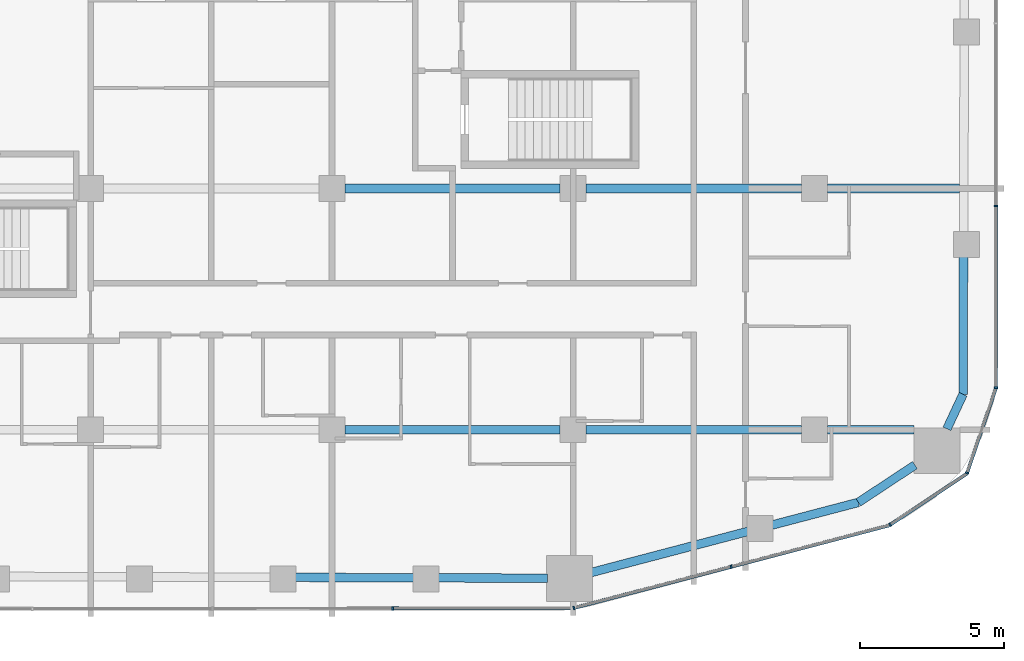
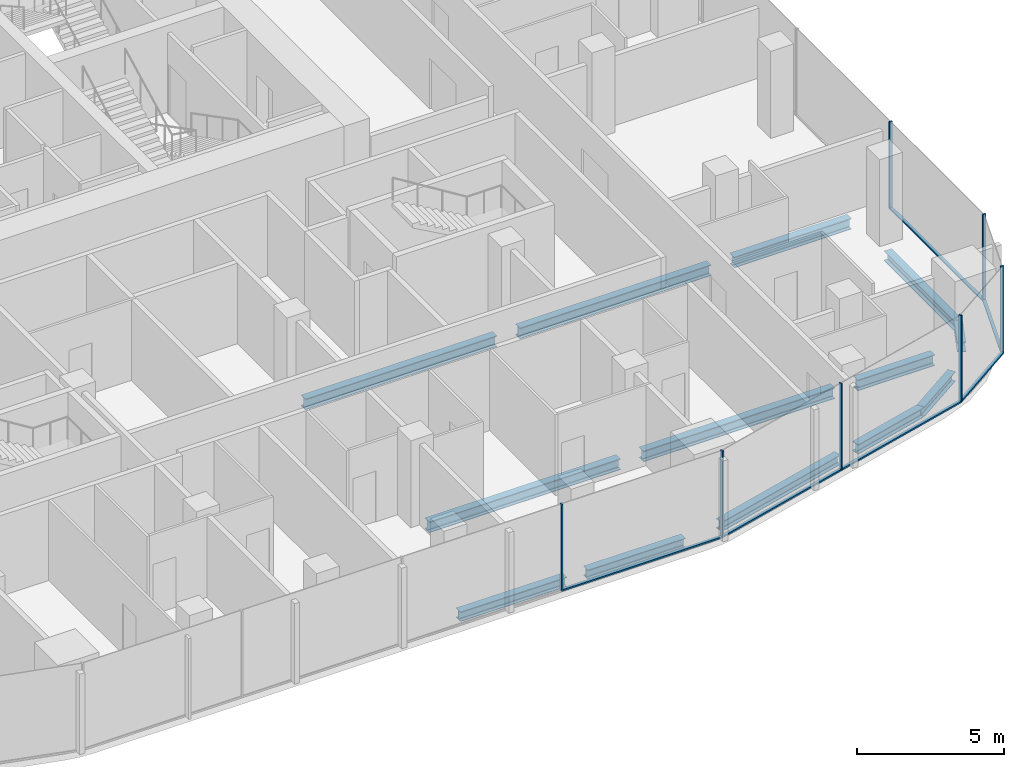
# One storey, part 6 of 23: 13 beams, 13 members, 5 elements without a shape of their own.
"""IFC4 building model written with IfcOpenShell, lengths in metres."""

from ifc_helpers import new_model, si_unit, direction, frame, origin, origin_2d, place, context, subcontext, project, spatial, rectangle, i_section, extrude, material, layer, layer_set, material_profile, profile_set, type_object, element, aggregate, save


model = new_model("IFC4")

# Units and contexts
model_context = context("Model", 3, precision=1e-05, world=origin(), true_north=direction((0.0, 1.0)))
body_context = subcontext(model_context, "Body", "Model", "MODEL_VIEW")
ifc_project = project(units=[si_unit("LENGTHUNIT", "METRE"), si_unit("AREAUNIT", "SQUARE_METRE"), si_unit("VOLUMEUNIT", "CUBIC_METRE"), si_unit("PLANEANGLEUNIT", "RADIAN"), si_unit("MASSUNIT", "GRAM", prefix="KILO")], contexts=[model_context])

# Site, building, storey
site_placement = place(None, origin())
site = spatial("IfcSite", under=ifc_project, at=site_placement, CompositionType="ELEMENT")
building_placement = place(site_placement, origin())
building = spatial("IfcBuilding", under=site, at=building_placement, Name="Marenta Gate Hotel Tower", CompositionType="ELEMENT")
storey_placement = place(building_placement, frame((0.0, 0.0, 162.5)))
storey = spatial("IfcBuildingStorey", under=building, at=storey_placement, Name="L38", CompositionType="ELEMENT", Elevation=162.5)

# Beams
ifc_material_1 = material(Name="Steel S355", Category="steel")
ifc_material_profile_1 = material_profile(ifc_material_1, i_section(OverallWidth=0.300048828125, OverallDepth=0.39990234375, WebThickness=0.013427734375, FlangeThickness=0.02392578125, FilletRadius=0.027099609375, at=origin_2d()), Name="HEB 400")
ifc_profile_set_1 = profile_set([ifc_material_profile_1], Name="Steel S355")
beam_type_1 = type_object("IfcBeamType", Name="Edge beam HEB 400", PredefinedType="SPANDREL", material=ifc_profile_set_1)
beam_1_placement = place(storey_placement, frame((26.191162109375, -10.761962890625, -0.4599609375), z_axis=(-0.003353298899, -0.999994377677, 0.0), x_axis=(0.999994377677, -0.003353298899, 0.0)))
element("IfcBeam", 1, at=beam_1_placement, inside=storey, type_object=beam_type_1, Name="L38-EB-27", PredefinedType="SPANDREL", context=body_context, shape_type="SweptSolid", body=[
    extrude(i_section(OverallWidth=0.300048828125, OverallDepth=0.39990234375, WebThickness=0.013427734375, FlangeThickness=0.02392578125, FilletRadius=0.027099609375, at=origin_2d()), origin(), (0.0, 0.0, 1.0), 4.80517578125),
])
beam_2_placement = place(storey_placement, frame((26.175048828125, -15.567138671875, -0.4599609375), z_axis=(-0.423207780269, -0.906032656541, 0.0), x_axis=(0.906032656541, -0.423207780269, 0.0)))
element("IfcBeam", 2, at=beam_2_placement, inside=storey, type_object=beam_type_1, Name="L38-EB-28", PredefinedType="SPANDREL", context=body_context, shape_type="SweptSolid", body=[
    extrude(i_section(OverallWidth=0.300048828125, OverallDepth=0.39990234375, WebThickness=0.013427734375, FlangeThickness=0.02392578125, FilletRadius=0.027099609375, at=origin_2d()), origin(), (0.0, 0.0, 1.0), 1.326904296875),
])
beam_3_placement = place(storey_placement, frame((24.496337890625, -18.0322265625, -0.4599609375), z_axis=(-0.834496060599, -0.551013906217, 0.0), x_axis=(0.551013906217, -0.834496060599, 0.0)))
element("IfcBeam", 3, at=beam_3_placement, inside=storey, type_object=beam_type_1, Name="L38-EB-29", PredefinedType="SPANDREL", context=body_context, shape_type="SweptSolid", body=[
    extrude(i_section(OverallWidth=0.300048828125, OverallDepth=0.39990234375, WebThickness=0.013427734375, FlangeThickness=0.02392578125, FilletRadius=0.027099609375, at=origin_2d()), origin(), (0.0, 0.0, 1.0), 2.357177734375),
])
beam_4_placement = place(storey_placement, frame((22.529296875, -19.3310546875, -0.4599609375), z_axis=(-0.967224706208, -0.25392197168, 0.0), x_axis=(0.25392197168, -0.967224706208, 0.0)))
element("IfcBeam", 4, at=beam_4_placement, inside=storey, type_object=beam_type_1, Name="L38-EB-30", PredefinedType="SPANDREL", context=body_context, shape_type="SweptSolid", body=[
    extrude(i_section(OverallWidth=0.300048828125, OverallDepth=0.39990234375, WebThickness=0.013427734375, FlangeThickness=0.02392578125, FilletRadius=0.027099609375, at=origin_2d()), origin(), (0.0, 0.0, 1.0), 3.11328125),
])
beam_5_placement = place(storey_placement, frame((18.695556640625, -20.33740234375, -0.4599609375), z_axis=(-0.96723321901, -0.253889542999, 0.0), x_axis=(0.253889542999, -0.96723321901, 0.0)))
element("IfcBeam", 5, at=beam_5_placement, inside=storey, type_object=beam_type_1, Name="L38-EB-31", PredefinedType="SPANDREL", context=body_context, shape_type="SweptSolid", body=[
    extrude(i_section(OverallWidth=0.300048828125, OverallDepth=0.39990234375, WebThickness=0.013427734375, FlangeThickness=0.02392578125, FilletRadius=0.027099609375, at=origin_2d()), origin(), (0.0, 0.0, 1.0), 5.6533203125),
])
beam_6_placement = place(storey_placement, frame((11.706298828125, -21.97021484375, -0.4599609375), z_axis=(-0.999994883969, 0.003198755307, 0.0), x_axis=(-0.003198755307, -0.999994883969, 0.0)))
element("IfcBeam", 6, at=beam_6_placement, inside=storey, type_object=beam_type_1, Name="L38-EB-32", PredefinedType="SPANDREL", context=body_context, shape_type="SweptSolid", body=[
    extrude(i_section(OverallWidth=0.300048828125, OverallDepth=0.39990234375, WebThickness=0.013427734375, FlangeThickness=0.02392578125, FilletRadius=0.027099609375, at=origin_2d()), origin(), (0.0, 0.0, 1.0), 3.816162109375),
])
beam_7_placement = place(storey_placement, frame((7.070068359375, -21.955322265625, -0.4599609375), z_axis=(-0.999994807487, 0.003222576575, 0.0), x_axis=(-0.003222576575, -0.999994807487, 0.0)))
element("IfcBeam", 7, at=beam_7_placement, inside=storey, type_object=beam_type_1, Name="L38-EB-33", PredefinedType="SPANDREL", context=body_context, shape_type="SweptSolid", body=[
    extrude(i_section(OverallWidth=0.300048828125, OverallDepth=0.39990234375, WebThickness=0.013427734375, FlangeThickness=0.02392578125, FilletRadius=0.027099609375, at=origin_2d()), origin(), (0.0, 0.0, 1.0), 4.166748046875),
])
ifc_material_2 = material(Name="Steel S355", Category="steel")
ifc_material_profile_2 = material_profile(ifc_material_2, i_section(OverallWidth=0.300048828125, OverallDepth=0.449951171875, WebThickness=0.013916015625, FlangeThickness=0.02587890625, FilletRadius=0.027099609375, at=origin_2d()), Name="HEB 450")
ifc_profile_set_2 = profile_set([ifc_material_profile_2], Name="Steel S355")
beam_type_2 = type_object("IfcBeamType", Name="Girder HEB 450", PredefinedType="BEAM", material=ifc_profile_set_2)
for number, where, z_axis, x_axis, name in (
    (8, (4.64990234375, -16.800048828125, -0.485107421875), (1.0, 0.0, 0.0), (0.0, 1.0, 0.0), "L38-GD-5"),
    (9, (13.050048828125, -16.800048828125, -0.485107421875), (1.0, 0.0, 0.0), (0.0, 1.0, 0.0), "L38-GD-6"),
):
    element("IfcBeam", number, at=place(storey_placement, frame(where, z_axis=z_axis, x_axis=x_axis)), inside=storey, type_object=beam_type_2, Name=name, PredefinedType="BEAM", context=body_context, shape_type="SweptSolid", body=[
        extrude(i_section(OverallWidth=0.300048828125, OverallDepth=0.449951171875, WebThickness=0.013916015625, FlangeThickness=0.02587890625, FilletRadius=0.027099609375, at=origin_2d()), origin(), (0.0, 0.0, 1.0), 7.5),
    ])
beam_8_placement = place(storey_placement, frame((21.449951171875, -16.800048828125, -0.485107421875), z_axis=(1.0, 0.0, 0.0), x_axis=(0.0, 1.0, 0.0)))
element("IfcBeam", 10, at=beam_8_placement, inside=storey, type_object=beam_type_2, Name="L38-GD-7", PredefinedType="BEAM", context=body_context, shape_type="SweptSolid", body=[
    extrude(i_section(OverallWidth=0.300048828125, OverallDepth=0.449951171875, WebThickness=0.013916015625, FlangeThickness=0.02587890625, FilletRadius=0.027099609375, at=origin_2d()), origin(), (0.0, 0.0, 1.0), 3.012939453125),
])
for number, where, z_axis, x_axis, name in (
    (11, (4.64990234375, -8.39990234375, -0.485107421875), (1.0, 0.0, 0.0), (0.0, 1.0, 0.0), "L38-GD-12"),
    (12, (13.050048828125, -8.39990234375, -0.485107421875), (1.0, 0.0, 0.0), (0.0, 1.0, 0.0), "L38-GD-13"),
):
    element("IfcBeam", number, at=place(storey_placement, frame(where, z_axis=z_axis, x_axis=x_axis)), inside=storey, type_object=beam_type_2, Name=name, PredefinedType="BEAM", context=body_context, shape_type="SweptSolid", body=[
        extrude(i_section(OverallWidth=0.300048828125, OverallDepth=0.449951171875, WebThickness=0.013916015625, FlangeThickness=0.02587890625, FilletRadius=0.027099609375, at=origin_2d()), origin(), (0.0, 0.0, 1.0), 7.5),
    ])
beam_9_placement = place(storey_placement, frame((21.449951171875, -8.39990234375, -0.485107421875), z_axis=(1.0, 0.0, 0.0), x_axis=(0.0, 1.0, 0.0)))
element("IfcBeam", 13, at=beam_9_placement, inside=storey, type_object=beam_type_2, Name="L38-GD-14", PredefinedType="BEAM", context=body_context, shape_type="SweptSolid", body=[
    extrude(i_section(OverallWidth=0.300048828125, OverallDepth=0.449951171875, WebThickness=0.013916015625, FlangeThickness=0.02587890625, FilletRadius=0.027099609375, at=origin_2d()), origin(), (0.0, 0.0, 1.0), 4.59912109375),
])

# Curtain wall, member
ifc_material_3 = material(Name="Tinted insulated glass in bronze anodised frame", Category="glass")
ifc_layer = layer(ifc_material_3, 0.1201171875)
ifc_layer_set = layer_set([ifc_layer], Name="Tinted insulated glass in bronze anodised frame")
curtain_wall_type = type_object("IfcCurtainWallType", Name="Tower unitised curtain wall CW1", PredefinedType="NOTDEFINED", material=ifc_layer_set)
curtain_wall_1_placement = place(storey_placement, origin())
curtain_wall_1 = element("IfcCurtainWall", 14, at=curtain_wall_1_placement, inside=storey, type_object=curtain_wall_type, Name="CW1 run G07", PredefinedType="NOTDEFINED")
ifc_material_4 = material(Name="Bronze anodised aluminium", Category="aluminium")
ifc_material_profile_3 = material_profile(ifc_material_4, rectangle(XDim=0.1201171875, YDim=0.06005859375, at=origin_2d()), Name="Mullion CW1 60x120 bronze anodised aluminium")
ifc_profile_set_3 = profile_set([ifc_material_profile_3], Name="Bronze anodised aluminium")
member_type_1 = type_object("IfcMemberType", Name="Mullion CW1 60x120 bronze anodised aluminium", PredefinedType="MULLION", material=ifc_profile_set_3)
member_1_placement = place(storey_placement, frame((6.32177734375, -23.021728515625, 0.0), z_axis=(0.0, 0.0, 1.0), x_axis=(-0.001362347707, 0.999999072004, 0.0)))
member_1 = element("IfcMember", 15, at=member_1_placement, type_object=member_type_1, Name="CW1 mullion 4", PredefinedType="MULLION", context=body_context, shape_type="SweptSolid", body=[
    extrude(rectangle(XDim=0.1201171875, YDim=0.06005859375, at=origin_2d()), origin(), (0.0, 0.0, 1.0), 3.60009765625),
])

# Curtain wall, members
curtain_wall_2_placement = place(storey_placement, origin())
curtain_wall_2 = element("IfcCurtainWall", 16, at=curtain_wall_2_placement, inside=storey, type_object=curtain_wall_type, Name="CW1 run G08", PredefinedType="NOTDEFINED")
member_2_placement = place(storey_placement, frame((12.626708984375, -23.005615234375, 0.0), z_axis=(0.0, 0.0, 1.0), x_axis=(-0.253374270473, 0.967368326473, 0.0)))
member_2 = element("IfcMember", 17, at=member_2_placement, type_object=member_type_1, Name="CW1 mullion 1", PredefinedType="MULLION", context=body_context, shape_type="SweptSolid", body=[
    extrude(rectangle(XDim=0.1201171875, YDim=0.06005859375, at=origin_2d()), origin(), (0.0, 0.0, 1.0), 3.60009765625),
])
member_3_placement = place(storey_placement, frame((18.102783203125, -21.571533203125, 0.0), z_axis=(0.0, 0.0, 1.0), x_axis=(-0.253374270473, 0.967368326473, 0.0)))
member_3 = element("IfcMember", 18, at=member_3_placement, type_object=member_type_1, Name="CW1 mullion 2", PredefinedType="MULLION", context=body_context, shape_type="SweptSolid", body=[
    extrude(rectangle(XDim=0.1201171875, YDim=0.06005859375, at=origin_2d()), origin(), (0.0, 0.0, 1.0), 3.60009765625),
])

# Curtain wall, member
curtain_wall_3_placement = place(storey_placement, origin())
curtain_wall_3 = element("IfcCurtainWall", 19, at=curtain_wall_3_placement, inside=storey, type_object=curtain_wall_type, Name="CW1 run G09", PredefinedType="NOTDEFINED")
member_4_placement = place(storey_placement, frame((23.632568359375, -20.113037109375, 0.0), z_axis=(0.0, 0.0, 1.0), x_axis=(-0.554016243423, 0.832505857051, 0.0)))
member_4 = element("IfcMember", 20, at=member_4_placement, type_object=member_type_1, Name="CW1 mullion 1", PredefinedType="MULLION", context=body_context, shape_type="SweptSolid", body=[
    extrude(rectangle(XDim=0.1201171875, YDim=0.06005859375, at=origin_2d()), origin(), (0.0, 0.0, 1.0), 3.60009765625),
])

curtain_wall_4_placement = place(storey_placement, origin())
curtain_wall_4 = element("IfcCurtainWall", 21, at=curtain_wall_4_placement, inside=storey, type_object=curtain_wall_type, Name="CW1 run G10", PredefinedType="NOTDEFINED")
member_5_placement = place(storey_placement, frame((26.314453125, -18.30615234375, 0.0), z_axis=(0.0, 0.0, 1.0), x_axis=(-0.946728385013, 0.322033173773, 0.0)))
member_5 = element("IfcMember", 22, at=member_5_placement, type_object=member_type_1, Name="CW1 mullion 1", PredefinedType="MULLION", context=body_context, shape_type="SweptSolid", body=[
    extrude(rectangle(XDim=0.1201171875, YDim=0.06005859375, at=origin_2d()), origin(), (0.0, 0.0, 1.0), 3.60009765625),
])

# Curtain wall, members
curtain_wall_5_placement = place(storey_placement, origin())
curtain_wall_5 = element("IfcCurtainWall", 23, at=curtain_wall_5_placement, inside=storey, type_object=curtain_wall_type, Name="CW1 run G11", PredefinedType="NOTDEFINED")
member_6_placement = place(storey_placement, frame((27.31396484375, -15.337890625, 0.0), z_axis=(0.0, 0.0, 1.0), x_axis=(-1.0, 0.0, 0.0)))
member_6 = element("IfcMember", 24, at=member_6_placement, type_object=member_type_1, Name="CW1 mullion 1", PredefinedType="MULLION", context=body_context, shape_type="SweptSolid", body=[
    extrude(rectangle(XDim=0.1201171875, YDim=0.06005859375, at=origin_2d()), origin(), (0.0, 0.0, 1.0), 3.60009765625),
])
member_7_placement = place(storey_placement, frame((27.31396484375, -9.008056640625, 0.0), z_axis=(0.0, 0.0, 1.0), x_axis=(-1.0, 0.0, 0.0)))
member_7 = element("IfcMember", 25, at=member_7_placement, type_object=member_type_1, Name="CW1 mullion 2", PredefinedType="MULLION", context=body_context, shape_type="SweptSolid", body=[
    extrude(rectangle(XDim=0.1201171875, YDim=0.06005859375, at=origin_2d()), origin(), (0.0, 0.0, 1.0), 3.60009765625),
])

# Member
ifc_material_5 = material(Name="Bronze anodised aluminium", Category="aluminium")
ifc_material_profile_4 = material_profile(ifc_material_5, rectangle(XDim=0.1201171875, YDim=0.06005859375, at=origin_2d()), Name="Transom CW1 60x120 bronze anodised aluminium")
ifc_profile_set_4 = profile_set([ifc_material_profile_4], Name="Bronze anodised aluminium")
member_type_2 = type_object("IfcMemberType", Name="Transom CW1 60x120 bronze anodised aluminium", PredefinedType="USERDEFINED", material=ifc_profile_set_4)
member_8_placement = place(storey_placement, frame((6.351806640625, -23.021728515625, 0.030029296875), z_axis=(0.999999064231, 0.001368041246, 0.0), x_axis=(-0.001368041246, 0.999999064231, 0.0)))
member_8 = element("IfcMember", 26, at=member_8_placement, type_object=member_type_2, Name="CW1 transom 4.1", ObjectType="TRANSOM", PredefinedType="USERDEFINED", context=body_context, shape_type="SweptSolid", body=[
    extrude(rectangle(XDim=0.1201171875, YDim=0.06005859375, at=origin_2d()), origin(), (0.0, 0.0, 1.0), 6.24609375),
])

aggregate(curtain_wall_1, [member_1, member_8])

member_9_placement = place(storey_placement, frame((12.65576171875, -22.998046875, 0.030029296875), z_axis=(0.967374258372, 0.25335162174, 0.0), x_axis=(-0.25335162174, 0.967374258372, 0.0)))
member_9 = element("IfcMember", 27, at=member_9_placement, type_object=member_type_2, Name="CW1 transom 1.1", ObjectType="TRANSOM", PredefinedType="USERDEFINED", context=body_context, shape_type="SweptSolid", body=[
    extrude(rectangle(XDim=0.1201171875, YDim=0.06005859375, at=origin_2d()), origin(), (0.0, 0.0, 1.0), 5.6005859375),
])

member_10_placement = place(storey_placement, frame((18.1318359375, -21.56396484375, 0.030029296875), z_axis=(0.967364420611, 0.253389182357, 0.0), x_axis=(-0.253389182357, 0.967364420611, 0.0)))
member_10 = element("IfcMember", 28, at=member_10_placement, type_object=member_type_2, Name="CW1 transom 2.1", ObjectType="TRANSOM", PredefinedType="USERDEFINED", context=body_context, shape_type="SweptSolid", body=[
    extrude(rectangle(XDim=0.1201171875, YDim=0.06005859375, at=origin_2d()), origin(), (0.0, 0.0, 1.0), 5.66064453125),
])

aggregate(curtain_wall_2, [member_2, member_3, member_9, member_10])

member_11_placement = place(storey_placement, frame((23.657470703125, -20.096435546875, 0.030029296875), z_axis=(0.832522439521, 0.553991324565, 0.0), x_axis=(-0.553991324565, 0.832522439521, 0.0)))
member_11 = element("IfcMember", 29, at=member_11_placement, type_object=member_type_2, Name="CW1 transom 1.1", ObjectType="TRANSOM", PredefinedType="USERDEFINED", context=body_context, shape_type="SweptSolid", body=[
    extrude(rectangle(XDim=0.1201171875, YDim=0.06005859375, at=origin_2d()), origin(), (0.0, 0.0, 1.0), 3.179931640625),
])

aggregate(curtain_wall_3, [member_4, member_11])

member_12_placement = place(storey_placement, frame((26.32421875, -18.27783203125, 0.030029296875), z_axis=(0.322012379162, 0.946735458123, 0.0), x_axis=(-0.946735458123, 0.322012379162, 0.0)))
member_12 = element("IfcMember", 30, at=member_12_placement, type_object=member_type_2, Name="CW1 transom 1.1", ObjectType="TRANSOM", PredefinedType="USERDEFINED", context=body_context, shape_type="SweptSolid", body=[
    extrude(rectangle(XDim=0.1201171875, YDim=0.06005859375, at=origin_2d()), origin(), (0.0, 0.0, 1.0), 3.07373046875),
])

aggregate(curtain_wall_4, [member_5, member_12])

member_13_placement = place(storey_placement, frame((27.31396484375, -15.30810546875, 0.030029296875), z_axis=(0.0, 1.0, 0.0), x_axis=(-1.0, 0.0, 0.0)))
member_13 = element("IfcMember", 31, at=member_13_placement, type_object=member_type_2, Name="CW1 transom 1.1", ObjectType="TRANSOM", PredefinedType="USERDEFINED", context=body_context, shape_type="SweptSolid", body=[
    extrude(rectangle(XDim=0.1201171875, YDim=0.06005859375, at=origin_2d()), origin(), (0.0, 0.0, 1.0), 6.27001953125),
])

aggregate(curtain_wall_5, [member_6, member_7, member_13])

save(model, "model.ifc")
